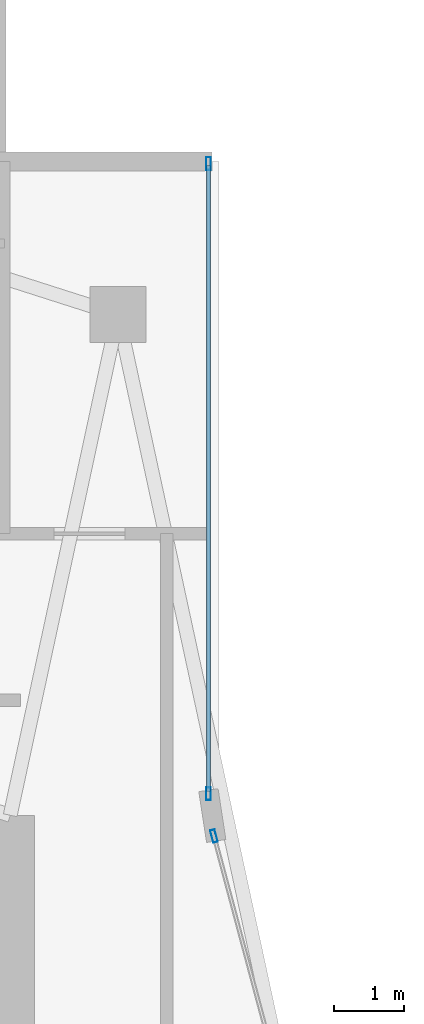
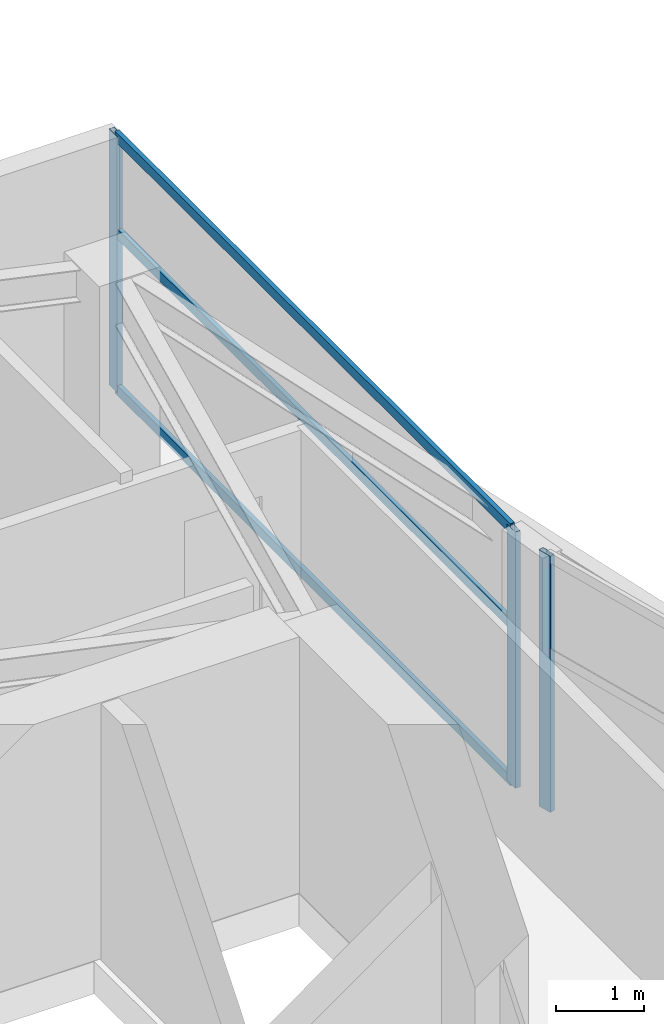
# One storey, part 19 of 29: 6 members, 2 elements without a shape of their own.
"""IFC4 building model written with IfcOpenShell, lengths in metres."""

from ifc_helpers import new_model, si_unit, direction, frame, origin, origin_2d, place, context, subcontext, project, spatial, hollow_rectangle, extrude, material, layer, layer_set, material_profile, profile_set, type_object, element, aggregate, save


model = new_model("IFC4")

# Units and contexts
model_context = context("Model", 3, precision=1e-05, world=origin(), true_north=direction((0.0, 1.0)))
body_context = subcontext(model_context, "Body", "Model", "MODEL_VIEW")
ifc_project = project(units=[si_unit("LENGTHUNIT", "METRE"), si_unit("AREAUNIT", "SQUARE_METRE"), si_unit("VOLUMEUNIT", "CUBIC_METRE"), si_unit("PLANEANGLEUNIT", "RADIAN"), si_unit("MASSUNIT", "GRAM", prefix="KILO")], contexts=[model_context])

# Site, building, storey
site_placement = place(None, origin())
site = spatial("IfcSite", under=ifc_project, at=site_placement, CompositionType="ELEMENT")
building_placement = place(site_placement, origin())
building = spatial("IfcBuilding", under=site, at=building_placement, Name="Calvorn Quay Hotel", CompositionType="ELEMENT")
storey_placement = place(building_placement, frame((0.0, 0.0, 199.60009765625)))
storey = spatial("IfcBuildingStorey", under=building, at=storey_placement, Name="L49", CompositionType="ELEMENT", Elevation=199.60009765625)

# Curtain wall, member
ifc_material_1 = material(Name="Champagne Bronze Anodised Aluminium and Low-E Glass", Category="aluminium")
ifc_layer = layer(ifc_material_1, 0.219970703125)
ifc_layer_set = layer_set([ifc_layer], Name="CW-SYS-Z3")
curtain_wall_type = type_object("IfcCurtainWallType", Name="CW-SYS-Z3", PredefinedType="NOTDEFINED", material=ifc_layer_set)
curtain_wall_1_placement = place(storey_placement, origin())
curtain_wall_1 = element("IfcCurtainWall", 1, at=curtain_wall_1_placement, inside=storey, type_object=curtain_wall_type, Name="Inner Court Curtain Wall L49-IC1", PredefinedType="NOTDEFINED")
ifc_material_2 = material(Name="Champagne Bronze Anodised Aluminium 6063-T6", Category="aluminium")
ifc_material_profile_1 = material_profile(ifc_material_2, hollow_rectangle(XDim=0.068115234375, YDim=0.18505859375, WallThickness=0.00390625, at=origin_2d()), Name="ALU-M185x68x4")
ifc_profile_set_1 = profile_set([ifc_material_profile_1], Name="Champagne Bronze Anodised Aluminium 6063-T6")
member_type_1 = type_object("IfcMemberType", Name="CW-SYS-Z3-MUL", PredefinedType="MULLION", material=ifc_profile_set_1)
member_1_placement = place(storey_placement, frame((17.9296875, 38.10107421875, 0.0), z_axis=(0.0, 0.0, 1.0), x_axis=(-0.96593652056, -0.25877913024, 0.0)))
member_1 = element("IfcMember", 2, at=member_1_placement, type_object=member_type_1, Name="CW-L49-IC1 mullion 2", PredefinedType="MULLION", context=body_context, shape_type="SweptSolid", body=[
    extrude(hollow_rectangle(XDim=0.068115234375, YDim=0.18505859375, WallThickness=0.00390625, at=origin_2d()), origin(), (0.0, 0.0, 1.0), 3.559814453125),
])
aggregate(curtain_wall_1, [member_1])

# Curtain wall, members
curtain_wall_2_placement = place(storey_placement, origin())
curtain_wall_2 = element("IfcCurtainWall", 3, at=curtain_wall_2_placement, inside=storey, type_object=curtain_wall_type, Name="Inner Court Curtain Wall L49-IC2", PredefinedType="NOTDEFINED")
member_2_placement = place(storey_placement, frame((17.85009765625, 38.7099609375, 0.0), z_axis=(0.0, 0.0, 1.0), x_axis=(-1.0, 0.0, 0.0)))
member_2 = element("IfcMember", 4, at=member_2_placement, type_object=member_type_1, Name="CW-L49-IC2 mullion 1", PredefinedType="MULLION", context=body_context, shape_type="SweptSolid", body=[
    extrude(hollow_rectangle(XDim=0.068115234375, YDim=0.18505859375, WallThickness=0.00390625, at=origin_2d()), origin(), (0.0, 0.0, 1.0), 3.559814453125),
])
member_3_placement = place(storey_placement, frame((17.85009765625, 47.77001953125, 0.0), z_axis=(0.0, 0.0, 1.0), x_axis=(-1.0, 0.0, 0.0)))
member_3 = element("IfcMember", 5, at=member_3_placement, type_object=member_type_1, Name="CW-L49-IC2 mullion 2", PredefinedType="MULLION", context=body_context, shape_type="SweptSolid", body=[
    extrude(hollow_rectangle(XDim=0.068115234375, YDim=0.18505859375, WallThickness=0.00390625, at=origin_2d()), origin(), (0.0, 0.0, 1.0), 3.559814453125),
])
ifc_material_3 = material(Name="Champagne Bronze Anodised Aluminium 6063-T6", Category="aluminium")
ifc_material_profile_2 = material_profile(ifc_material_3, hollow_rectangle(XDim=0.05810546875, YDim=0.139892578125, WallThickness=0.003173828125, at=origin_2d()), Name="ALU-T140x58x3.2")
ifc_profile_set_2 = profile_set([ifc_material_profile_2], Name="Champagne Bronze Anodised Aluminium 6063-T6")
member_type_2 = type_object("IfcMemberType", Name="CW-SYS-Z3-TRN", PredefinedType="USERDEFINED", material=ifc_profile_set_2)
member_4_placement = place(storey_placement, frame((17.85009765625, 38.739990234375, 0.02978515625), z_axis=(0.0, 1.0, 0.0), x_axis=(-1.0, 0.0, 0.0)))
member_4 = element("IfcMember", 6, at=member_4_placement, type_object=member_type_2, Name="CW-L49-IC2 transom 1.1", ObjectType="TRANSOM", PredefinedType="USERDEFINED", context=body_context, shape_type="SweptSolid", body=[
    extrude(hollow_rectangle(XDim=0.05810546875, YDim=0.139892578125, WallThickness=0.003173828125, at=origin_2d()), origin(), (0.0, 0.0, 1.0), 9.0),
])
member_5_placement = place(storey_placement, frame((17.85009765625, 38.739990234375, 2.199951171875), z_axis=(0.0, 1.0, 0.0), x_axis=(-1.0, 0.0, 0.0)))
member_5 = element("IfcMember", 7, at=member_5_placement, type_object=member_type_2, Name="CW-L49-IC2 transom 1.2", ObjectType="TRANSOM", PredefinedType="USERDEFINED", context=body_context, shape_type="SweptSolid", body=[
    extrude(hollow_rectangle(XDim=0.05810546875, YDim=0.139892578125, WallThickness=0.003173828125, at=origin_2d()), origin(), (0.0, 0.0, 1.0), 9.0),
])
member_6_placement = place(storey_placement, frame((17.85009765625, 38.739990234375, 3.52978515625), z_axis=(0.0, 1.0, 0.0), x_axis=(-1.0, 0.0, 0.0)))
member_6 = element("IfcMember", 8, at=member_6_placement, type_object=member_type_2, Name="CW-L49-IC2 transom 1.3", ObjectType="TRANSOM", PredefinedType="USERDEFINED", context=body_context, shape_type="SweptSolid", body=[
    extrude(hollow_rectangle(XDim=0.05810546875, YDim=0.139892578125, WallThickness=0.003173828125, at=origin_2d()), origin(), (0.0, 0.0, 1.0), 9.0),
])
aggregate(curtain_wall_2, [member_2, member_3, member_4, member_5, member_6])

save(model, "model.ifc")
